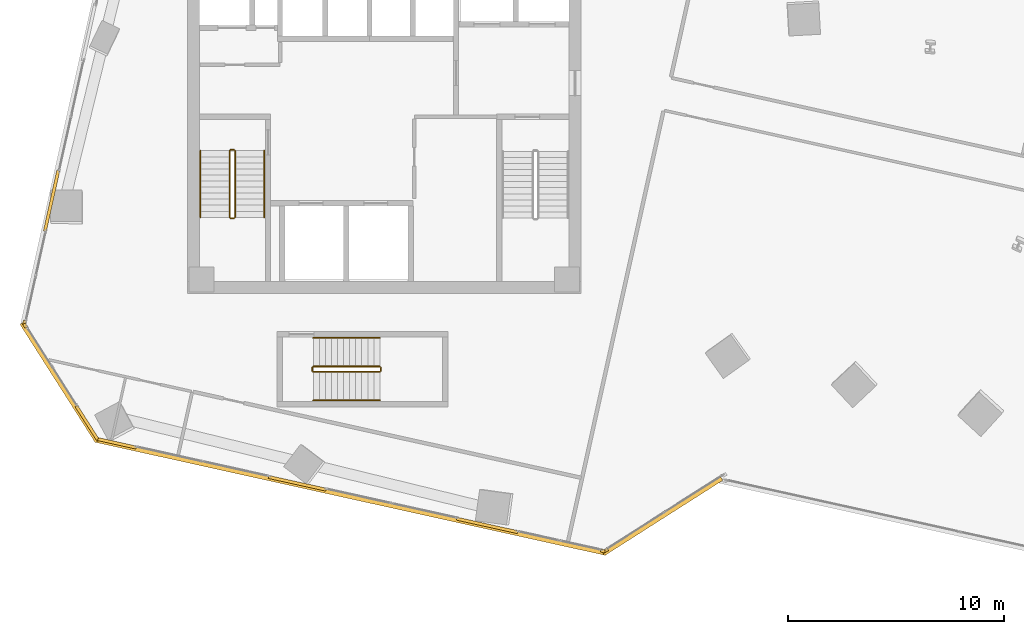
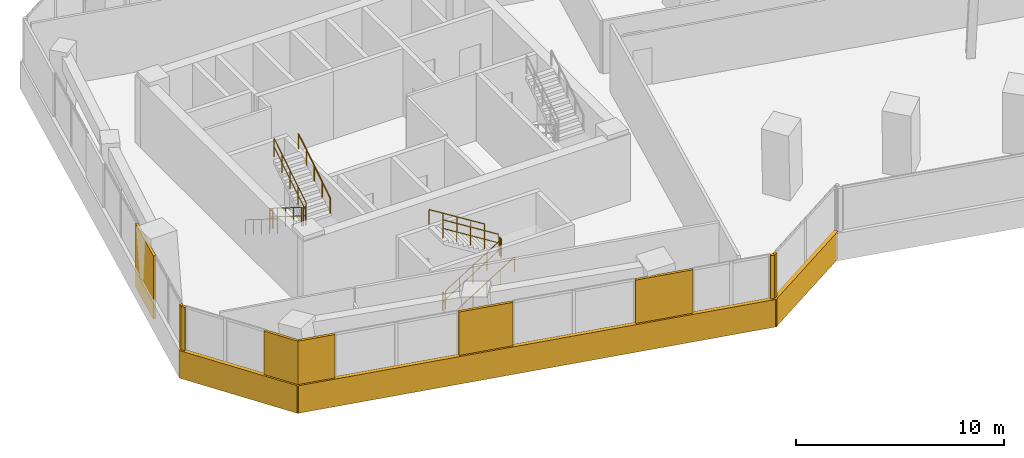
# One storey, part 22 of 25: 12 coverings, 12 railings.
"""IFC4 building model written with IfcOpenShell, lengths in metres."""

import ifcopenshell
import ifcopenshell.guid

model = None  # the IFC model being written
_history = None  # IfcOwnerHistory: only IFC2X3 demands one
_inside = {}  # id of a spatial element -> (the spatial element, [elements in it])
_under = {}  # id of a project, library or spatial element -> (it, [spatial elements below it])
_declared = {}  # id of a project -> (the project, [libraries it declares])
_typed = {}  # id of a type object -> (the type object, [elements of that type])
_made_of = {}  # id of a material, layer set ... -> (it, [elements and type objects made of it])


def new_model(schema):
    """Start an empty IFC model of exactly this schema.

    Asked for "IFC4X3", IfcOpenShell would pick the latest addendum, in which some entities
    have other attributes; the version numbers below select the first issue.
    IFC2X3 requires an IfcOwnerHistory on every rooted entity: one is made here for all.
    """
    global model, _history
    if schema == "IFC4X3":
        model = ifcopenshell.file(schema_version=(4, 3, 0, 0))
    else:
        model = ifcopenshell.file(schema=schema)
    _inside.clear()
    _under.clear()
    _declared.clear()
    _typed.clear()
    _made_of.clear()
    _history = None
    if model.schema == "IFC2X3":
        org = make("IfcOrganization", Name="unknown")
        user = make(
            "IfcPersonAndOrganization",
            ThePerson=make("IfcPerson", FamilyName="unknown"),
            TheOrganization=org,
        )
        app = make(
            "IfcApplication",
            ApplicationDeveloper=org,
            Version="unknown",
            ApplicationFullName="unknown",
            ApplicationIdentifier="unknown",
        )
        _history = make(
            "IfcOwnerHistory",
            OwningUser=user,
            OwningApplication=app,
            ChangeAction="ADDED",
            CreationDate=0,
        )
    return model


def make(cls, **values):
    """One entity of the class cls with the attributes given. An attribute that is None is left unset."""
    return model.create_entity(
        cls, **{name: value for name, value in values.items() if value is not None}
    )


def rooted(cls, **values):
    """An entity with a GlobalId (a new one), such as an element, a storey or a relation."""
    return make(cls, GlobalId=ifcopenshell.guid.new(), OwnerHistory=_history, **values)


def si_unit(unit_type, name, prefix=None):
    """IfcSIUnit, for example si_unit("LENGTHUNIT", "METRE", prefix="MILLI")."""
    return make("IfcSIUnit", UnitType=unit_type, Prefix=prefix, Name=name)


def assignment(units):
    """IfcUnitAssignment: the units of a project."""
    return None if units is None else make("IfcUnitAssignment", Units=units)


def point(xyz):
    """IfcCartesianPoint."""
    return None if xyz is None else make("IfcCartesianPoint", Coordinates=xyz)


def direction(xyz):
    """IfcDirection."""
    return None if xyz is None else make("IfcDirection", DirectionRatios=xyz)


def frame(location, z_axis=None, x_axis=None):
    """IfcAxis2Placement3D, a coordinate frame: its origin and axes. An axis left out is left unset."""
    return make(
        "IfcAxis2Placement3D",
        Location=point(location),
        Axis=direction(z_axis),
        RefDirection=direction(x_axis),
    )


def frame_2d(location, x_axis=None):
    """IfcAxis2Placement2D, a coordinate frame in the plane: its origin and x axis."""
    return make(
        "IfcAxis2Placement2D", Location=point(location), RefDirection=direction(x_axis)
    )


def origin():
    """The frame at (0, 0, 0) with its axes left unset."""
    return frame((0.0, 0.0, 0.0))


def origin_2d():
    """The frame at (0, 0) in the plane with its x axis left unset."""
    return frame_2d((0.0, 0.0))


def place(relative_to, where):
    """IfcLocalPlacement: puts the frame where relative to a parent placement (None: the world)."""
    return make(
        "IfcLocalPlacement", PlacementRelTo=relative_to, RelativePlacement=where
    )


def context(
    kind, dimensions, precision=None, world=None, true_north=None, identifier=None
):
    """IfcGeometricRepresentationContext, for example the 3D "Model" context."""
    return make(
        "IfcGeometricRepresentationContext",
        ContextIdentifier=identifier,
        ContextType=kind,
        CoordinateSpaceDimension=dimensions,
        Precision=precision,
        WorldCoordinateSystem=world,
        TrueNorth=true_north,
    )


def subcontext(parent, identifier, kind, view, scale=None):
    """IfcGeometricRepresentationSubContext, for example "Body" below "Model"."""
    return make(
        "IfcGeometricRepresentationSubContext",
        ContextIdentifier=identifier,
        ContextType=kind,
        ParentContext=parent,
        TargetScale=scale,
        TargetView=view,
    )


def project(units=None, contexts=None):
    """IfcProject with its units and contexts."""
    return rooted(
        "IfcProject",
        Name="project",
        RepresentationContexts=contexts,
        UnitsInContext=assignment(units),
    )


def spatial(cls, under=None, at=None, **own):
    """A site, building, storey or space (cls), placed at a placement, below another one or the project."""
    s = rooted(cls, ObjectPlacement=at, **own)
    if under is not None:
        _under.setdefault(under.id(), (under, []))[1].append(s)
    return s


def profile(cls, at=None, kind="AREA", **sizes):
    """A parametric profile (cls). Its sizes go by their IFC names, for example OverallWidth=200.0."""
    return make(cls, ProfileType=kind, Position=at, **sizes)


def rectangle(**sizes):
    """IfcRectangleProfileDef."""
    return profile("IfcRectangleProfileDef", **sizes)


def circle(**sizes):
    """IfcCircleProfileDef."""
    return profile("IfcCircleProfileDef", **sizes)


def extrude(swept, where, along, depth):
    """IfcExtrudedAreaSolid: the profile swept, set in the frame where, extruded along a direction by depth."""
    return make(
        "IfcExtrudedAreaSolid",
        SweptArea=swept,
        Position=where,
        ExtrudedDirection=direction(along),
        Depth=depth,
    )


def shape(context_of_items, identifier, shape_type, items):
    """IfcShapeRepresentation: the items that make up one representation, for example the "Body"."""
    return make(
        "IfcShapeRepresentation",
        ContextOfItems=context_of_items,
        RepresentationIdentifier=identifier,
        RepresentationType=shape_type,
        Items=items,
    )


def source(mapping_origin, context_of_items, identifier, shape_type, items):
    """IfcRepresentationMap: a shape defined once, which mapped items show again and again."""
    return make(
        "IfcRepresentationMap",
        MappingOrigin=mapping_origin,
        MappedRepresentation=shape(context_of_items, identifier, shape_type, items),
    )


def transform(
    local_origin,
    x_axis=None,
    y_axis=None,
    z_axis=None,
    scale=None,
    scale2=None,
    scale3=None,
    uniform=True,
):
    """IfcCartesianTransformationOperator3D, or its non-uniform kind. x_axis, y_axis, z_axis: its Axis1, 2, 3."""
    if uniform:
        return make(
            "IfcCartesianTransformationOperator3D",
            Axis1=direction(x_axis),
            Axis2=direction(y_axis),
            LocalOrigin=point(local_origin),
            Scale=scale,
            Axis3=direction(z_axis),
        )
    return make(
        "IfcCartesianTransformationOperator3DnonUniform",
        Axis1=direction(x_axis),
        Axis2=direction(y_axis),
        LocalOrigin=point(local_origin),
        Scale=scale,
        Axis3=direction(z_axis),
        Scale2=scale2,
        Scale3=scale3,
    )


def mapped(mapping_source, mapping_target):
    """IfcMappedItem: shows the shape of a source again, moved by a transform."""
    return make(
        "IfcMappedItem", MappingSource=mapping_source, MappingTarget=mapping_target
    )


def material(Name=None, Category=None):
    """IfcMaterial."""
    return make("IfcMaterial", Name=Name, Category=Category)


def layer(
    of_material, thickness, ventilated=None, Name=None, Category=None, Priority=None
):
    """IfcMaterialLayer: one layer of a wall or slab, of a material (None: an air gap)."""
    return make(
        "IfcMaterialLayer",
        Material=of_material,
        LayerThickness=thickness,
        IsVentilated=ventilated,
        Name=Name,
        Category=Category,
        Priority=Priority,
    )


def layer_set(layers, Name=None):
    """IfcMaterialLayerSet."""
    return make("IfcMaterialLayerSet", MaterialLayers=layers, LayerSetName=Name)


def made_of(thing, what):
    """Note that an element or type object is made of a material, layer set ...; save() writes the relation."""
    if what is not None:
        _made_of.setdefault(what.id(), (what, []))[1].append(thing)
    return thing


def type_object(cls, material=None, **own):
    """A type object (cls), such as IfcWallType, which elements share."""
    return made_of(rooted(cls, **own), material)


def element(
    cls,
    number,
    at=None,
    inside=None,
    cuts=None,
    type_object=None,
    material=None,
    context=None,
    identifier="Body",
    shape_type=None,
    held_by="IfcProductDefinitionShape",
    body=None,
    shapes=None,
    **own,
):
    """One element of the class cls, such as IfcWall. Its Tag is "e" and its number.

    at: its placement. inside: the storey or other place that contains it. cuts: it is an
    opening in that element (IfcRelVoidsElement). A single representation is given by context,
    identifier, shape_type and body (its items); several are given by shapes. held_by: the class
    of the entity that holds the representations. save() writes the other relations.
    """
    e = rooted(cls, Tag="e%d" % number, ObjectPlacement=at, **own)
    if body is not None:
        shapes = [shape(context, identifier, shape_type, body)]
    if shapes is not None:
        e.Representation = make(held_by, Representations=shapes)
    if inside is not None:
        _inside.setdefault(inside.id(), (inside, []))[1].append(e)
    if cuts is not None:
        rooted(
            "IfcRelVoidsElement", RelatingBuildingElement=cuts, RelatedOpeningElement=e
        )
    if type_object is not None:
        _typed.setdefault(type_object.id(), (type_object, []))[1].append(e)
    return made_of(e, material)


def aggregate(whole, parts):
    """IfcRelAggregates: a whole, such as a stair, and the parts it consists of."""
    return rooted("IfcRelAggregates", RelatingObject=whole, RelatedObjects=parts)


def save(model, path):
    """Write the relations noted so far, then the file.

    IfcRelAggregates (storeys below a building ...), IfcRelContainedInSpatialStructure (elements
    in a storey), IfcRelDefinesByType, IfcRelAssociatesMaterial and IfcRelDeclares: one each for
    every whole, place, type object, material and project.
    """
    for whole, parts in _under.values():
        aggregate(whole, parts)
    for where, things in _inside.values():
        rooted(
            "IfcRelContainedInSpatialStructure",
            RelatedElements=things,
            RelatingStructure=where,
        )
    for kind, things in _typed.values():
        rooted("IfcRelDefinesByType", RelatedObjects=things, RelatingType=kind)
    for what, things in _made_of.values():
        rooted("IfcRelAssociatesMaterial", RelatedObjects=things, RelatingMaterial=what)
    for by, libraries in _declared.values():
        rooted("IfcRelDeclares", RelatingContext=by, RelatedDefinitions=libraries)
    model.write(path)


model = new_model("IFC4")

# Units and contexts
model_context = context("Model", 3, precision=1e-05, world=origin(), true_north=direction((0.0, 1.0)))
body_context = subcontext(model_context, "Body", "Model", "MODEL_VIEW")
ifc_project = project(units=[si_unit("LENGTHUNIT", "METRE"), si_unit("AREAUNIT", "SQUARE_METRE"), si_unit("VOLUMEUNIT", "CUBIC_METRE"), si_unit("PLANEANGLEUNIT", "RADIAN"), si_unit("MASSUNIT", "GRAM", prefix="KILO")], contexts=[model_context])

# Site, building, storey
site_placement = place(None, origin())
site = spatial("IfcSite", under=ifc_project, at=site_placement, CompositionType="ELEMENT")
building_placement = place(site_placement, origin())
building = spatial("IfcBuilding", under=site, at=building_placement, Name="Torre Montelarca", CompositionType="ELEMENT")
storey_placement = place(building_placement, frame((0.0, 0.0, 91.60009765625)))
storey = spatial("IfcBuildingStorey", under=building, at=storey_placement, Name="L20", CompositionType="ELEMENT", Elevation=91.60009765625)

# Railings
ifc_material_1 = material(Name="Powder-coated steel ASTM A500 Grade C", Category="steel")
railing_type_1 = type_object("IfcRailingType", Name="RL-GUARD-1100", PredefinedType="BALUSTRADE", material=ifc_material_1)
railing_1_placement = place(storey_placement, frame((10.85009765625, 30.5, 0.1748046875)))
element("IfcRailing", 1, at=railing_1_placement, inside=storey, type_object=railing_type_1, Name="L20 ST1 stair guard 1", PredefinedType="BALUSTRADE", context=body_context, shape_type="SweptSolid", body=[
    extrude(circle(Radius=0.02392578125, at=origin_2d()), frame((0.0, 0.0, 1.076171875), z_axis=(0.0, -0.847998304005, 0.529998940003), x_axis=(1.0, 0.0, 0.0)), (0.0, 0.0, 1.0), 3.632080078125),
    extrude(circle(Radius=0.02099609375, at=origin_2d()), frame((0.0, 0.0, 0.572021484375), z_axis=(0.0, -0.847998304005, 0.529998940003), x_axis=(1.0, 0.0, 0.0)), (0.0, 0.0, 1.0), 3.632080078125),
    extrude(circle(Radius=0.02099609375, at=origin_2d()), origin(), (0.0, 0.0, 1.0), 1.052001953125),
    extrude(circle(Radius=0.02099609375, at=origin_2d()), frame((0.0, -0.77001953125, 0.481201171875)), (0.0, 0.0, 1.0), 1.052001953125),
    extrude(circle(Radius=0.02099609375, at=origin_2d()), frame((0.0, -1.5400390625, 0.96240234375)), (0.0, 0.0, 1.0), 1.052001953125),
    extrude(circle(Radius=0.02099609375, at=origin_2d()), frame((0.0, -2.31005859375, 1.44384765625)), (0.0, 0.0, 1.0), 1.052001953125),
    extrude(circle(Radius=0.02099609375, at=origin_2d()), frame((0.0, -3.080078125, 1.925048828125)), (0.0, 0.0, 1.0), 1.052001953125),
])
railing_2_placement = place(storey_placement, frame((10.89990234375, 27.3701171875, 2.099853515625)))
element("IfcRailing", 2, at=railing_2_placement, inside=storey, type_object=railing_type_1, Name="L20 ST1 stair guard 2", PredefinedType="BALUSTRADE", context=body_context, shape_type="SweptSolid", body=[
    extrude(circle(Radius=0.02392578125, at=origin_2d()), frame((0.0, 0.0, 1.076171875), z_axis=(1.0, 0.0, 0.0), x_axis=(0.0, 1.0, 0.0)), (0.0, 0.0, 1.0), 0.150146484375),
    extrude(circle(Radius=0.02099609375, at=origin_2d()), frame((0.0, 0.0, 0.572021484375), z_axis=(1.0, 0.0, 0.0), x_axis=(0.0, 1.0, 0.0)), (0.0, 0.0, 1.0), 0.150146484375),
    extrude(circle(Radius=0.02099609375, at=origin_2d()), origin(), (0.0, 0.0, 1.0), 1.052001953125),
    extrude(circle(Radius=0.02099609375, at=origin_2d()), frame((0.150146484375, 0.0, 0.0)), (0.0, 0.0, 1.0), 1.052001953125),
])
railing_3_placement = place(storey_placement, frame((11.10009765625, 27.419921875, 2.27490234375)))
element("IfcRailing", 3, at=railing_3_placement, inside=storey, type_object=railing_type_1, Name="L20 ST1 stair guard 3", PredefinedType="BALUSTRADE", context=body_context, shape_type="SweptSolid", body=[
    extrude(circle(Radius=0.02392578125, at=origin_2d()), frame((0.0, 0.0, 1.076171875), z_axis=(0.0, 0.847998304005, 0.529998940003), x_axis=(-1.0, 0.0, 0.0)), (0.0, 0.0, 1.0), 3.632080078125),
    extrude(circle(Radius=0.02099609375, at=origin_2d()), frame((0.0, 0.0, 0.572021484375), z_axis=(0.0, 0.847998304005, 0.529998940003), x_axis=(-1.0, 0.0, 0.0)), (0.0, 0.0, 1.0), 3.632080078125),
    extrude(circle(Radius=0.02099609375, at=origin_2d()), origin(), (0.0, 0.0, 1.0), 1.052001953125),
    extrude(circle(Radius=0.02099609375, at=origin_2d()), frame((0.0, 0.77001953125, 0.481201171875)), (0.0, 0.0, 1.0), 1.052001953125),
    extrude(circle(Radius=0.02099609375, at=origin_2d()), frame((0.0, 1.5400390625, 0.96240234375)), (0.0, 0.0, 1.0), 1.052001953125),
    extrude(circle(Radius=0.02099609375, at=origin_2d()), frame((0.0, 2.31005859375, 1.44384765625)), (0.0, 0.0, 1.0), 1.052001953125),
    extrude(circle(Radius=0.02099609375, at=origin_2d()), frame((0.0, 3.080078125, 1.925048828125)), (0.0, 0.0, 1.0), 1.052001953125),
])
railing_4_placement = place(storey_placement, frame((10.89990234375, 30.550048828125, 0.0)))
element("IfcRailing", 4, at=railing_4_placement, inside=storey, type_object=railing_type_1, Name="L20 ST1 stair guard 4", PredefinedType="BALUSTRADE", context=body_context, shape_type="SweptSolid", body=[
    extrude(circle(Radius=0.02392578125, at=origin_2d()), frame((0.0, 0.0, 1.076171875), z_axis=(1.0, 0.0, 0.0), x_axis=(0.0, 1.0, 0.0)), (0.0, 0.0, 1.0), 0.150146484375),
    extrude(circle(Radius=0.02099609375, at=origin_2d()), frame((0.0, 0.0, 0.572021484375), z_axis=(1.0, 0.0, 0.0), x_axis=(0.0, 1.0, 0.0)), (0.0, 0.0, 1.0), 0.150146484375),
    extrude(circle(Radius=0.02099609375, at=origin_2d()), origin(), (0.0, 0.0, 1.0), 1.052001953125),
    extrude(circle(Radius=0.02099609375, at=origin_2d()), frame((0.150146484375, 0.0, 0.0)), (0.0, 0.0, 1.0), 1.052001953125),
])
railing_5_placement = place(storey_placement, frame((14.719970703125, 20.27001953125, 0.1748046875)))
element("IfcRailing", 5, at=railing_5_placement, inside=storey, type_object=railing_type_1, Name="L20 ST3 stair guard 1", PredefinedType="BALUSTRADE", context=body_context, shape_type="SweptSolid", body=[
    extrude(circle(Radius=0.02392578125, at=origin_2d()), frame((0.0, 0.0, 1.076171875), z_axis=(0.847998304005, 0.0, 0.529998940003), x_axis=(0.0, 1.0, 0.0)), (0.0, 0.0, 1.0), 3.632080078125),
    extrude(circle(Radius=0.02099609375, at=origin_2d()), frame((0.0, 0.0, 0.572021484375), z_axis=(0.847998304005, 0.0, 0.529998940003), x_axis=(0.0, 1.0, 0.0)), (0.0, 0.0, 1.0), 3.632080078125),
    extrude(circle(Radius=0.02099609375, at=origin_2d()), origin(), (0.0, 0.0, 1.0), 1.052001953125),
    extrude(circle(Radius=0.02099609375, at=origin_2d()), frame((0.77001953125, 0.0, 0.481201171875)), (0.0, 0.0, 1.0), 1.052001953125),
    extrude(circle(Radius=0.02099609375, at=origin_2d()), frame((1.5400390625, 0.0, 0.96240234375)), (0.0, 0.0, 1.0), 1.052001953125),
    extrude(circle(Radius=0.02099609375, at=origin_2d()), frame((2.31005859375, 0.0, 1.44384765625)), (0.0, 0.0, 1.0), 1.052001953125),
    extrude(circle(Radius=0.02099609375, at=origin_2d()), frame((3.080078125, 0.0, 1.925048828125)), (0.0, 0.0, 1.0), 1.052001953125),
])
railing_6_placement = place(storey_placement, frame((17.85009765625, 20.320068359375, 2.099853515625)))
element("IfcRailing", 6, at=railing_6_placement, inside=storey, type_object=railing_type_1, Name="L20 ST3 stair guard 2", PredefinedType="BALUSTRADE", context=body_context, shape_type="SweptSolid", body=[
    extrude(circle(Radius=0.02392578125, at=origin_2d()), frame((0.0, 0.0, 1.076171875), z_axis=(0.0, 1.0, 0.0), x_axis=(-1.0, 0.0, 0.0)), (0.0, 0.0, 1.0), 0.14990234375),
    extrude(circle(Radius=0.02099609375, at=origin_2d()), frame((0.0, 0.0, 0.572021484375), z_axis=(0.0, 1.0, 0.0), x_axis=(-1.0, 0.0, 0.0)), (0.0, 0.0, 1.0), 0.14990234375),
    extrude(circle(Radius=0.02099609375, at=origin_2d()), origin(), (0.0, 0.0, 1.0), 1.052001953125),
    extrude(circle(Radius=0.02099609375, at=origin_2d()), frame((0.0, 0.14990234375, 0.0)), (0.0, 0.0, 1.0), 1.052001953125),
])
railing_7_placement = place(storey_placement, frame((17.800048828125, 20.52001953125, 2.27490234375)))
element("IfcRailing", 7, at=railing_7_placement, inside=storey, type_object=railing_type_1, Name="L20 ST3 stair guard 3", PredefinedType="BALUSTRADE", context=body_context, shape_type="SweptSolid", body=[
    extrude(circle(Radius=0.02392578125, at=origin_2d()), frame((0.0, 0.0, 1.076171875), z_axis=(-0.847998304005, 0.0, 0.529998940003), x_axis=(0.0, -1.0, 0.0)), (0.0, 0.0, 1.0), 3.632080078125),
    extrude(circle(Radius=0.02099609375, at=origin_2d()), frame((0.0, 0.0, 0.572021484375), z_axis=(-0.847998304005, 0.0, 0.529998940003), x_axis=(0.0, -1.0, 0.0)), (0.0, 0.0, 1.0), 3.632080078125),
    extrude(circle(Radius=0.02099609375, at=origin_2d()), origin(), (0.0, 0.0, 1.0), 1.052001953125),
    extrude(circle(Radius=0.02099609375, at=origin_2d()), frame((-0.77001953125, 0.0, 0.481201171875)), (0.0, 0.0, 1.0), 1.052001953125),
    extrude(circle(Radius=0.02099609375, at=origin_2d()), frame((-1.5400390625, 0.0, 0.96240234375)), (0.0, 0.0, 1.0), 1.052001953125),
    extrude(circle(Radius=0.02099609375, at=origin_2d()), frame((-2.31005859375, 0.0, 1.44384765625)), (0.0, 0.0, 1.0), 1.052001953125),
    extrude(circle(Radius=0.02099609375, at=origin_2d()), frame((-3.080078125, 0.0, 1.925048828125)), (0.0, 0.0, 1.0), 1.052001953125),
])
railing_8_placement = place(storey_placement, frame((14.669921875, 20.320068359375, 0.0)))
element("IfcRailing", 8, at=railing_8_placement, inside=storey, type_object=railing_type_1, Name="L20 ST3 stair guard 4", PredefinedType="BALUSTRADE", context=body_context, shape_type="SweptSolid", body=[
    extrude(circle(Radius=0.02392578125, at=origin_2d()), frame((0.0, 0.0, 1.076171875), z_axis=(0.0, 1.0, 0.0), x_axis=(-1.0, 0.0, 0.0)), (0.0, 0.0, 1.0), 0.14990234375),
    extrude(circle(Radius=0.02099609375, at=origin_2d()), frame((0.0, 0.0, 0.572021484375), z_axis=(0.0, 1.0, 0.0), x_axis=(-1.0, 0.0, 0.0)), (0.0, 0.0, 1.0), 0.14990234375),
    extrude(circle(Radius=0.02099609375, at=origin_2d()), origin(), (0.0, 0.0, 1.0), 1.052001953125),
    extrude(circle(Radius=0.02099609375, at=origin_2d()), frame((0.0, 0.14990234375, 0.0)), (0.0, 0.0, 1.0), 1.052001953125),
])
ifc_material_2 = material(Name="Brushed stainless steel AISI 316", Category="steel")
railing_type_2 = type_object("IfcRailingType", Name="RL-HANDRAIL-900", PredefinedType="HANDRAIL", material=ifc_material_2)
railing_9_placement = place(storey_placement, frame((9.5, 30.5, 0.1748046875)))
element("IfcRailing", 9, at=railing_9_placement, inside=storey, type_object=railing_type_2, Name="L20 ST1 stair handrail 1", PredefinedType="HANDRAIL", context=body_context, shape_type="SweptSolid", body=[
    extrude(circle(Radius=0.02392578125, at=origin_2d()), frame((0.0, 0.0, 0.8759765625), z_axis=(0.0, -0.847998304005, 0.529998940003), x_axis=(1.0, 0.0, 0.0)), (0.0, 0.0, 1.0), 3.632080078125),
    extrude(circle(Radius=0.02099609375, at=origin_2d()), origin(), (0.0, 0.0, 1.0), 0.851806640625),
    extrude(circle(Radius=0.02099609375, at=origin_2d()), frame((0.0, -0.77001953125, 0.481201171875)), (0.0, 0.0, 1.0), 0.851806640625),
    extrude(circle(Radius=0.02099609375, at=origin_2d()), frame((0.0, -1.5400390625, 0.96240234375)), (0.0, 0.0, 1.0), 0.851806640625),
    extrude(circle(Radius=0.02099609375, at=origin_2d()), frame((0.0, -2.31005859375, 1.44384765625)), (0.0, 0.0, 1.0), 0.851806640625),
    extrude(circle(Radius=0.02099609375, at=origin_2d()), frame((0.0, -3.080078125, 1.925048828125)), (0.0, 0.0, 1.0), 0.851806640625),
])
railing_10_placement = place(storey_placement, frame((12.449951171875, 27.419921875, 2.27490234375)))
element("IfcRailing", 10, at=railing_10_placement, inside=storey, type_object=railing_type_2, Name="L20 ST1 stair handrail 2", PredefinedType="HANDRAIL", context=body_context, shape_type="SweptSolid", body=[
    extrude(circle(Radius=0.02392578125, at=origin_2d()), frame((0.0, 0.0, 0.8759765625), z_axis=(0.0, 0.847998304005, 0.529998940003), x_axis=(-1.0, 0.0, 0.0)), (0.0, 0.0, 1.0), 3.632080078125),
    extrude(circle(Radius=0.02099609375, at=origin_2d()), origin(), (0.0, 0.0, 1.0), 0.851806640625),
    extrude(circle(Radius=0.02099609375, at=origin_2d()), frame((0.0, 0.77001953125, 0.481201171875)), (0.0, 0.0, 1.0), 0.851806640625),
    extrude(circle(Radius=0.02099609375, at=origin_2d()), frame((0.0, 1.5400390625, 0.96240234375)), (0.0, 0.0, 1.0), 0.851806640625),
    extrude(circle(Radius=0.02099609375, at=origin_2d()), frame((0.0, 2.31005859375, 1.44384765625)), (0.0, 0.0, 1.0), 0.851806640625),
    extrude(circle(Radius=0.02099609375, at=origin_2d()), frame((0.0, 3.080078125, 1.925048828125)), (0.0, 0.0, 1.0), 0.851806640625),
])
railing_11_placement = place(storey_placement, frame((14.719970703125, 18.949951171875, 0.1748046875)))
element("IfcRailing", 11, at=railing_11_placement, inside=storey, type_object=railing_type_2, Name="L20 ST3 stair handrail 1", PredefinedType="HANDRAIL", context=body_context, shape_type="SweptSolid", body=[
    extrude(circle(Radius=0.02392578125, at=origin_2d()), frame((0.0, 0.0, 0.8759765625), z_axis=(0.847998304005, 0.0, 0.529998940003), x_axis=(0.0, 1.0, 0.0)), (0.0, 0.0, 1.0), 3.632080078125),
    extrude(circle(Radius=0.02099609375, at=origin_2d()), origin(), (0.0, 0.0, 1.0), 0.851806640625),
    extrude(circle(Radius=0.02099609375, at=origin_2d()), frame((0.77001953125, 0.0, 0.481201171875)), (0.0, 0.0, 1.0), 0.851806640625),
    extrude(circle(Radius=0.02099609375, at=origin_2d()), frame((1.5400390625, 0.0, 0.96240234375)), (0.0, 0.0, 1.0), 0.851806640625),
    extrude(circle(Radius=0.02099609375, at=origin_2d()), frame((2.31005859375, 0.0, 1.44384765625)), (0.0, 0.0, 1.0), 0.851806640625),
    extrude(circle(Radius=0.02099609375, at=origin_2d()), frame((3.080078125, 0.0, 1.925048828125)), (0.0, 0.0, 1.0), 0.851806640625),
])
railing_12_placement = place(storey_placement, frame((17.800048828125, 21.840087890625, 2.27490234375)))
element("IfcRailing", 12, at=railing_12_placement, inside=storey, type_object=railing_type_2, Name="L20 ST3 stair handrail 2", PredefinedType="HANDRAIL", context=body_context, shape_type="SweptSolid", body=[
    extrude(circle(Radius=0.02392578125, at=origin_2d()), frame((0.0, 0.0, 0.8759765625), z_axis=(-0.847998304005, 0.0, 0.529998940003), x_axis=(0.0, -1.0, 0.0)), (0.0, 0.0, 1.0), 3.632080078125),
    extrude(circle(Radius=0.02099609375, at=origin_2d()), origin(), (0.0, 0.0, 1.0), 0.851806640625),
    extrude(circle(Radius=0.02099609375, at=origin_2d()), frame((-0.77001953125, 0.0, 0.481201171875)), (0.0, 0.0, 1.0), 0.851806640625),
    extrude(circle(Radius=0.02099609375, at=origin_2d()), frame((-1.5400390625, 0.0, 0.96240234375)), (0.0, 0.0, 1.0), 0.851806640625),
    extrude(circle(Radius=0.02099609375, at=origin_2d()), frame((-2.31005859375, 0.0, 1.44384765625)), (0.0, 0.0, 1.0), 0.851806640625),
    extrude(circle(Radius=0.02099609375, at=origin_2d()), frame((-3.080078125, 0.0, 1.925048828125)), (0.0, 0.0, 1.0), 0.851806640625),
])

# Coverings
ifc_material_3 = material(Name="Bush-hammered warm white precast concrete C45/55", Category="concrete")
ifc_layer = layer(ifc_material_3, 0.139892578125, Name="Bush-hammered warm white precast concrete C45/55", Category="concrete")
ifc_layer_set = layer_set([ifc_layer], Name="Bush-hammered warm white precast concrete C45/55")
covering_type = type_object("IfcCoveringType", Name="COV-TRAY-CLAD", PredefinedType="CLADDING", material=ifc_layer_set)
shared_shape_1 = source(origin(), body_context, "Body", "SweptSolid", [
    extrude(rectangle(XDim=24.219970703125, YDim=0.219970703125, at=origin_2d()), origin(), (0.0, 0.0, 1.0), 1.6201171875),
])
covering_1_placement = place(storey_placement, frame((16.444580078125, 14.509521484375, -0.4501953125), z_axis=(0.0, 0.0, 1.0), x_axis=(0.97629600712, -0.216439613938, 0.0)))
element("IfcCovering", 13, at=covering_1_placement, inside=storey, type_object=covering_type, Name="L20 Architectural White Spandrel Tray Band TRYBOT-01", PredefinedType="CLADDING", context=body_context, shape_type="MappedRepresentation", body=[
    mapped(shared_shape_1, transform((0.0, 0.0, 0.0), scale=1.0)),
])
shared_shape_2 = source(origin(), body_context, "Body", "SweptSolid", [
    extrude(rectangle(XDim=6.48388671875, YDim=0.219970703125, at=origin_2d()), origin(), (0.0, 0.0, 1.0), 1.6201171875),
])
for number, where, z_axis, x_axis, name in (
    (14, (30.869873046875, 13.607177734375, -0.4501953125), (0.0, 0.0, 1.0), (0.843387694733, 0.537305496317, 0.0), "L20 Architectural White Spandrel Tray Band TRYBOT-02"),
    (15, (2.9892578125, 19.7880859375, -0.4501953125), (0.0, 0.0, 1.0), (0.537305496317, -0.843387694733, 0.0), "L20 Architectural White Spandrel Tray Band TRYBOT-11"),
):
    element("IfcCovering", number, at=place(storey_placement, frame(where, z_axis=z_axis, x_axis=x_axis)), inside=storey, type_object=covering_type, Name=name, PredefinedType="CLADDING", context=body_context, shape_type="MappedRepresentation", body=[
        mapped(shared_shape_2, transform((0.0, 0.0, 0.0), scale=1.0)),
    ])
shared_shape_3 = source(origin(), body_context, "Body", "SweptSolid", [
    extrude(rectangle(XDim=1.864013671875, YDim=0.139892578125, at=origin_2d()), origin(), (0.0, 0.0, 1.0), 3.719970703125),
])
covering_2_placement = place(storey_placement, frame((5.61865234375, 16.97119140625, 0.0), z_axis=(0.0, 0.0, 1.0), x_axis=(0.97629600712, -0.216439613938, 0.0)))
element("IfcCovering", 16, at=covering_2_placement, inside=storey, type_object=covering_type, Name="L20 Architectural Column Pier Cladding E01-1", PredefinedType="CLADDING", context=body_context, shape_type="MappedRepresentation", body=[
    mapped(shared_shape_3, transform((0.0, 0.0, 0.0), scale=1.0)),
])
shared_shape_4 = source(origin(), body_context, "Body", "SweptSolid", [
    extrude(rectangle(XDim=2.734375, YDim=0.139892578125, at=origin_2d()), origin(), (0.0, 0.0, 1.0), 3.719970703125),
])
covering_3_placement = place(storey_placement, frame((13.98046875, 15.1171875, 0.0), z_axis=(0.0, 0.0, 1.0), x_axis=(0.97629600712, -0.216439613938, 0.0)))
element("IfcCovering", 17, at=covering_3_placement, inside=storey, type_object=covering_type, Name="L20 Architectural Column Pier Cladding E01-2", PredefinedType="CLADDING", context=body_context, shape_type="MappedRepresentation", body=[
    mapped(shared_shape_4, transform((0.0, 0.0, 0.0), scale=1.0)),
])
shared_shape_5 = source(origin(), body_context, "Body", "SweptSolid", [
    extrude(rectangle(XDim=2.886474609375, YDim=0.139892578125, at=origin_2d()), origin(), (0.0, 0.0, 1.0), 3.719970703125),
])
covering_4_placement = place(storey_placement, frame((22.76611328125, 13.169677734375, 0.0), z_axis=(0.0, 0.0, 1.0), x_axis=(0.97629600712, -0.216439613938, 0.0)))
element("IfcCovering", 18, at=covering_4_placement, inside=storey, type_object=covering_type, Name="L20 Architectural Column Pier Cladding E01-3", PredefinedType="CLADDING", context=body_context, shape_type="MappedRepresentation", body=[
    mapped(shared_shape_5, transform((0.0, 0.0, 0.0), scale=1.0)),
])
shared_shape_6 = source(origin(), body_context, "Body", "SweptSolid", [
    extrude(rectangle(XDim=0.199951171875, YDim=0.139892578125, at=origin_2d()), origin(), (0.0, 0.0, 1.0), 3.719970703125),
])
for number, where, z_axis, x_axis, name in (
    (19, (28.10888671875, 11.985107421875, 0.0), (0.0, 0.0, 1.0), (0.97629600712, -0.216439613938, 0.0), "L20 Architectural Column Pier Cladding E01-4"),
    (20, (28.251708984375, 12.01025390625, 0.0), (0.0, 0.0, 1.0), (0.843383943613, 0.537311384261, 0.0), "L20 Architectural Column Pier Cladding E02-1"),
    (21, (1.3671875, 22.54931640625, 0.0), (0.0, 0.0, 1.0), (-0.216441317896, -0.97629562936, 0.0), "L20 Architectural Column Pier Cladding E10-5"),
    (22, (1.392333984375, 22.40625, 0.0), (0.0, 0.0, 1.0), (0.537314328223, -0.843382068037, 0.0), "L20 Architectural Column Pier Cladding E11-1"),
):
    element("IfcCovering", number, at=place(storey_placement, frame(where, z_axis=z_axis, x_axis=x_axis)), inside=storey, type_object=covering_type, Name=name, PredefinedType="CLADDING", context=body_context, shape_type="MappedRepresentation", body=[
        mapped(shared_shape_6, transform((0.0, 0.0, 0.0), scale=1.0)),
    ])
shared_shape_7 = source(origin(), body_context, "Body", "SweptSolid", [
    extrude(rectangle(XDim=1.835205078125, YDim=0.139892578125, at=origin_2d()), origin(), (0.0, 0.0, 1.0), 3.719970703125),
])
covering_5_placement = place(storey_placement, frame((4.248046875, 17.924072265625, 0.0), z_axis=(0.0, 0.0, 1.0), x_axis=(0.537314328223, -0.843382068037, 0.0)))
element("IfcCovering", 23, at=covering_5_placement, inside=storey, type_object=covering_type, Name="L20 Architectural Column Pier Cladding E11-2", PredefinedType="CLADDING", context=body_context, shape_type="MappedRepresentation", body=[
    mapped(shared_shape_7, transform((0.0, 0.0, 0.0), scale=1.0)),
])
shared_shape_8 = source(origin(), body_context, "Body", "SweptSolid", [
    extrude(rectangle(XDim=2.879638671875, YDim=0.139892578125, at=origin_2d()), origin(), (0.0, 0.0, 1.0), 3.719970703125),
])
covering_6_placement = place(storey_placement, frame((2.615966796875, 28.181396484375, 0.0), z_axis=(0.0, 0.0, 1.0), x_axis=(-0.216441317896, -0.97629562936, 0.0)))
element("IfcCovering", 24, at=covering_6_placement, inside=storey, type_object=covering_type, Name="L20 Architectural Column Pier Cladding E10-4", PredefinedType="CLADDING", context=body_context, shape_type="MappedRepresentation", body=[
    mapped(shared_shape_8, transform((0.0, 0.0, 0.0), scale=1.0)),
])

save(model, "model.ifc")
